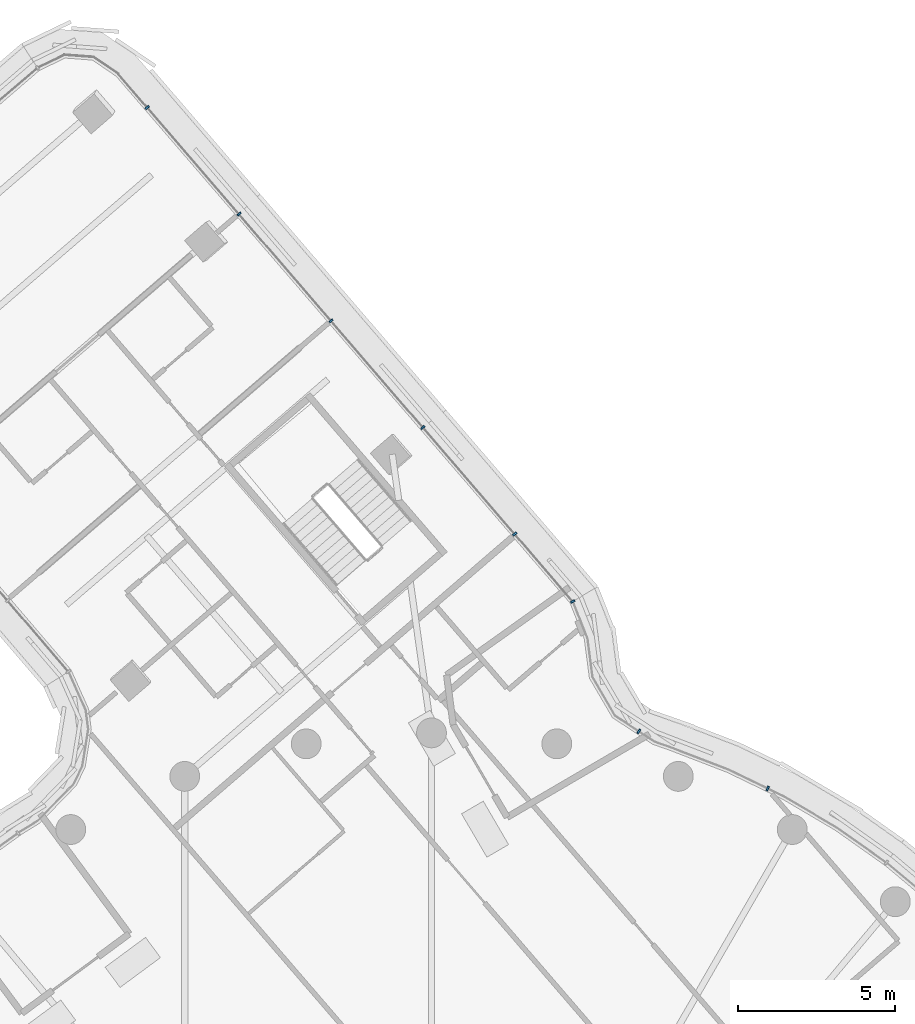
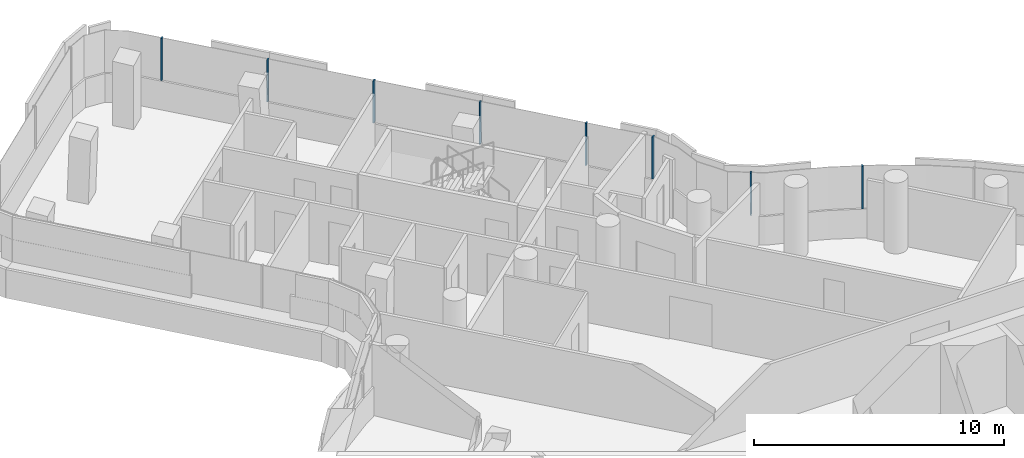
# One storey, part 16 of 34: 8 members, 2 elements without a shape of their own.
"""IFC4 building model written with IfcOpenShell, lengths in metres."""

from ifc_helpers import new_model, si_unit, direction, frame, origin, origin_2d, place, context, subcontext, project, spatial, rectangle, extrude, material, layer, layer_set, material_profile, profile_set, type_object, element, aggregate, save


model = new_model("IFC4")

# Units and contexts
model_context = context("Model", 3, precision=1e-05, world=origin(), true_north=direction((0.0, 1.0)))
body_context = subcontext(model_context, "Body", "Model", "MODEL_VIEW")
ifc_project = project(units=[si_unit("LENGTHUNIT", "METRE"), si_unit("AREAUNIT", "SQUARE_METRE"), si_unit("VOLUMEUNIT", "CUBIC_METRE"), si_unit("PLANEANGLEUNIT", "RADIAN"), si_unit("MASSUNIT", "GRAM", prefix="KILO")], contexts=[model_context])

# Site, building, storey
site_placement = place(None, origin())
site = spatial("IfcSite", under=ifc_project, at=site_placement, CompositionType="ELEMENT")
building_placement = place(site_placement, origin())
building = spatial("IfcBuilding", under=site, at=building_placement, Name="Tamarind Cross Interchange Tower", CompositionType="ELEMENT")
storey_placement = place(building_placement, frame((0.0, 0.0, 182.5)))
storey = spatial("IfcBuildingStorey", under=building, at=storey_placement, Name="L45", CompositionType="ELEMENT", Elevation=182.5)

# Curtain wall, members
ifc_material = material(Name="Aluminium 6063-T6", Category="aluminium")
ifc_layer_1 = layer(ifc_material, 0.139892578125)
ifc_layer_set_1 = layer_set([ifc_layer_1], Name="Aluminium 6063-T6")
curtain_wall_type_1 = type_object("IfcCurtainWallType", Name="Hotel curtain wall, 4.5 m bays", PredefinedType="NOTDEFINED", material=ifc_layer_set_1)
curtain_wall_1_placement = place(storey_placement, origin())
curtain_wall_1 = element("IfcCurtainWall", 1, at=curtain_wall_1_placement, inside=storey, type_object=curtain_wall_type_1, Name="CWS-L45-11", PredefinedType="NOTDEFINED")
ifc_material_profile_1 = material_profile(ifc_material, rectangle(XDim=0.06005859375, YDim=0.139892578125, at=origin_2d()), Name="Mullion CW2")
ifc_profile_set_1 = profile_set([ifc_material_profile_1], Name="Aluminium 6063-T6")
member_type_1 = type_object("IfcMemberType", Name="Mullion CW2", PredefinedType="MULLION", material=ifc_profile_set_1)
member_1_placement = place(storey_placement, frame((4.505615234375, 27.1884765625, 1.39990234375), z_axis=(0.0, 0.0, 1.0), x_axis=(-0.516763536917, 0.856128172012, 0.0)))
member_1 = element("IfcMember", 2, at=member_1_placement, type_object=member_type_1, Name="CWM-L45-11-00", PredefinedType="MULLION", context=body_context, shape_type="SweptSolid", body=[
    extrude(rectangle(XDim=0.06005859375, YDim=0.139892578125, at=origin_2d()), origin(), (0.0, 0.0, 1.0), 2.06005859375),
])
member_2_placement = place(storey_placement, frame((2.654052734375, 29.33740234375, 1.39990234375), z_axis=(0.0, 0.0, 1.0), x_axis=(-0.652722730074, 0.757596883339, 0.0)))
member_2 = element("IfcMember", 3, at=member_2_placement, type_object=member_type_1, Name="CWM-L45-11-01", PredefinedType="MULLION", context=body_context, shape_type="SweptSolid", body=[
    extrude(rectangle(XDim=0.06005859375, YDim=0.139892578125, at=origin_2d()), origin(), (0.0, 0.0, 1.0), 2.06005859375),
])
member_3_placement = place(storey_placement, frame((-0.275146484375, 32.737060546875, 1.39990234375), z_axis=(0.0, 0.0, 1.0), x_axis=(-0.652722730074, 0.757596883339, 0.0)))
member_3 = element("IfcMember", 4, at=member_3_placement, type_object=member_type_1, Name="CWM-L45-11-02", PredefinedType="MULLION", context=body_context, shape_type="SweptSolid", body=[
    extrude(rectangle(XDim=0.06005859375, YDim=0.139892578125, at=origin_2d()), origin(), (0.0, 0.0, 1.0), 2.06005859375),
])
member_4_placement = place(storey_placement, frame((-3.204345703125, 36.13720703125, 1.39990234375), z_axis=(0.0, 0.0, 1.0), x_axis=(-0.652722730074, 0.757596883339, 0.0)))
member_4 = element("IfcMember", 5, at=member_4_placement, type_object=member_type_1, Name="CWM-L45-11-03", PredefinedType="MULLION", context=body_context, shape_type="SweptSolid", body=[
    extrude(rectangle(XDim=0.06005859375, YDim=0.139892578125, at=origin_2d()), origin(), (0.0, 0.0, 1.0), 2.06005859375),
])
member_5_placement = place(storey_placement, frame((-6.1337890625, 39.537109375, 1.39990234375), z_axis=(0.0, 0.0, 1.0), x_axis=(-0.652722730074, 0.757596883339, 0.0)))
member_5 = element("IfcMember", 6, at=member_5_placement, type_object=member_type_1, Name="CWM-L45-11-04", PredefinedType="MULLION", context=body_context, shape_type="SweptSolid", body=[
    extrude(rectangle(XDim=0.06005859375, YDim=0.139892578125, at=origin_2d()), origin(), (0.0, 0.0, 1.0), 2.06005859375),
])
member_6_placement = place(storey_placement, frame((-9.06298828125, 42.93701171875, 1.39990234375), z_axis=(0.0, 0.0, 1.0), x_axis=(-0.652722730074, 0.757596883339, 0.0)))
member_6 = element("IfcMember", 7, at=member_6_placement, type_object=member_type_1, Name="CWM-L45-11-05", PredefinedType="MULLION", context=body_context, shape_type="SweptSolid", body=[
    extrude(rectangle(XDim=0.06005859375, YDim=0.139892578125, at=origin_2d()), origin(), (0.0, 0.0, 1.0), 2.06005859375),
])
aggregate(curtain_wall_1, [member_1, member_2, member_3, member_4, member_5, member_6])

ifc_layer_2 = layer(ifc_material, 0.14990234375)
ifc_layer_set_2 = layer_set([ifc_layer_2], Name="Aluminium 6063-T6")
curtain_wall_type_2 = type_object("IfcCurtainWallType", Name="Winter garden and crown curtain wall", PredefinedType="NOTDEFINED", material=ifc_layer_set_2)
curtain_wall_2_placement = place(storey_placement, origin())
curtain_wall_2 = element("IfcCurtainWall", 8, at=curtain_wall_2_placement, inside=storey, type_object=curtain_wall_type_2, Name="CWS-L45-10", PredefinedType="NOTDEFINED")
ifc_material_profile_2 = material_profile(ifc_material, rectangle(XDim=0.06005859375, YDim=0.14990234375, at=origin_2d()), Name="Mullion CW6")
ifc_profile_set_2 = profile_set([ifc_material_profile_2], Name="Aluminium 6063-T6")
member_type_2 = type_object("IfcMemberType", Name="Mullion CW6", PredefinedType="MULLION", material=ifc_profile_set_2)
member_7_placement = place(storey_placement, frame((10.716552734375, 21.227294921875, 1.39990234375), z_axis=(0.0, 0.0, 1.0), x_axis=(-0.900272776334, 0.435326231914, 0.0)))
member_7 = element("IfcMember", 9, at=member_7_placement, type_object=member_type_2, Name="CWM-L45-10-12", PredefinedType="MULLION", context=body_context, shape_type="SweptSolid", body=[
    extrude(rectangle(XDim=0.06005859375, YDim=0.14990234375, at=origin_2d()), origin(), (0.0, 0.0, 1.0), 2.06005859375),
])
member_8_placement = place(storey_placement, frame((6.61083984375, 23.04931640625, 1.39990234375), z_axis=(0.0, 0.0, 1.0), x_axis=(-0.834136941466, 0.551557397631, 0.0)))
member_8 = element("IfcMember", 10, at=member_8_placement, type_object=member_type_2, Name="CWM-L45-10-13", PredefinedType="MULLION", context=body_context, shape_type="SweptSolid", body=[
    extrude(rectangle(XDim=0.06005859375, YDim=0.14990234375, at=origin_2d()), origin(), (0.0, 0.0, 1.0), 2.06005859375),
])
aggregate(curtain_wall_2, [member_7, member_8])

save(model, "model.ifc")
